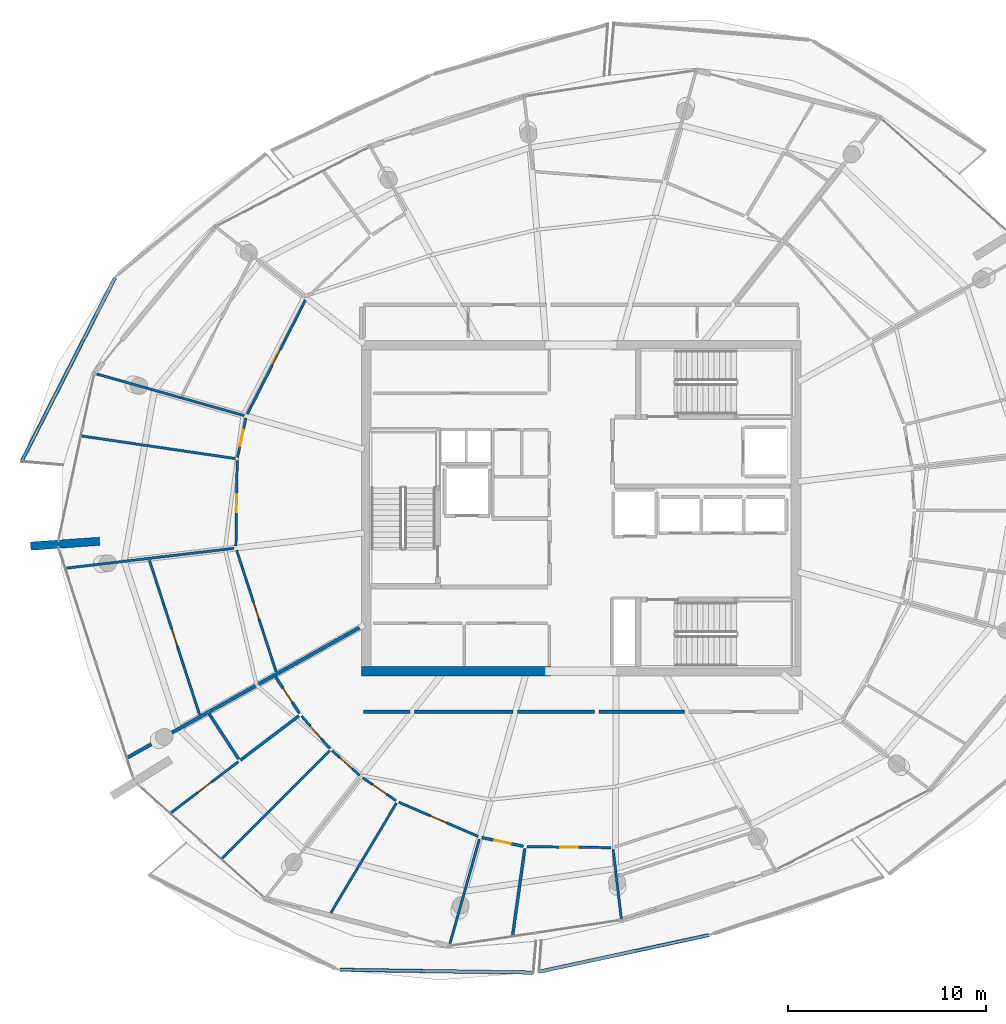
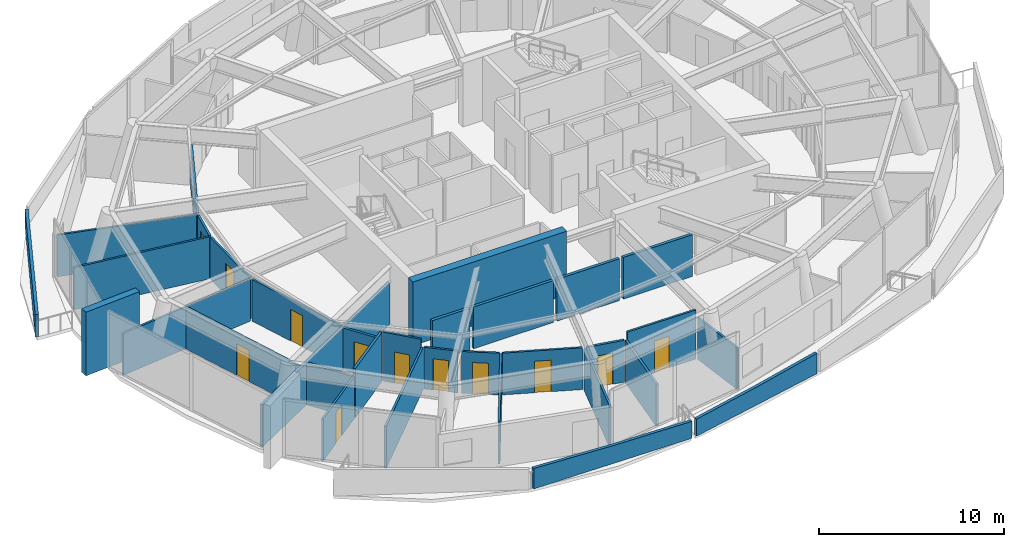
# One storey, part 9 of 19: 33 walls, 13 doors, 13 openings.
"""IFC4 building model written with IfcOpenShell, lengths in metres."""

from ifc_helpers import new_model, si_unit, direction, frame, frame_2d, origin, place, context, subcontext, project, spatial, polyline, rectangle, outline, extrude, material, layer, layer_set, type_object, element, fill, save


model = new_model("IFC4")

# Units and contexts
model_context = context("Model", 3, precision=1e-05, world=origin(), true_north=direction((0.0, 1.0)))
body_context = subcontext(model_context, "Body", "Model", "MODEL_VIEW")
ifc_project = project(units=[si_unit("LENGTHUNIT", "METRE"), si_unit("AREAUNIT", "SQUARE_METRE"), si_unit("VOLUMEUNIT", "CUBIC_METRE"), si_unit("PLANEANGLEUNIT", "RADIAN"), si_unit("MASSUNIT", "GRAM", prefix="KILO")], contexts=[model_context])

# Site, building, storey
site_placement = place(None, origin())
site = spatial("IfcSite", under=ifc_project, at=site_placement, CompositionType="ELEMENT")
building_placement = place(site_placement, origin())
building = spatial("IfcBuilding", under=site, at=building_placement, Name="Kazma Halo Residences", CompositionType="ELEMENT")
storey_placement = place(building_placement, frame((0.0, 0.0, 347.300048828125)))
storey = spatial("IfcBuildingStorey", under=building, at=storey_placement, Name="L87", CompositionType="ELEMENT", Elevation=347.300048828125)

# Walls
ifc_material_1 = material(Name="White Concrete C50/60 Balustrade", Category="concrete")
ifc_layer_1 = layer(ifc_material_1, 0.179931640625)
ifc_layer_set_1 = layer_set([ifc_layer_1], Name="White Concrete C50/60 Balustrade")
wall_type_1 = type_object("IfcWallType", Name="WL-BAL-WAVE-180", PredefinedType="PARAPET", material=ifc_layer_set_1)
wall_1_placement = place(storey_placement, frame((24.839599609375, 53.666015625, 0.0), z_axis=(0.0, 0.0, 1.0), x_axis=(-0.453352558269, -0.891331284041, 0.0)))
element("IfcWall", 1, at=wall_1_placement, inside=storey, type_object=wall_type_1, Name="L87 white wave balustrade wall NW.2", PredefinedType="PARAPET", context=body_context, shape_type="SweptSolid", body=[
    extrude(outline(polyline([(0.0, 0.0), (10.433349609375, 0.0), (10.433349609375, 1.48291015625), (5.216552734375, 1.283935546875), (0.0, 1.14794921875), (0.0, 0.0)])), frame((0.0, 0.08984375, 0.0), z_axis=(0.0, -1.0, 0.0), x_axis=(1.0, 0.0, 0.0)), (0.0, 0.0, 1.0), 0.179931640625),
])
wall_2_placement = place(storey_placement, frame((36.218994140625, 18.641357421875, 0.0), z_axis=(0.0, 0.0, 1.0), x_axis=(0.999893535391, -0.014591705995, 0.0)))
element("IfcWall", 2, at=wall_2_placement, inside=storey, type_object=wall_type_1, Name="L87 white wave balustrade wall SW.2", PredefinedType="PARAPET", context=body_context, shape_type="SweptSolid", body=[
    extrude(outline(polyline([(0.0, 0.0), (9.787841796875, 0.0), (9.787841796875, 1.119873046875), (4.893798828125, 1.181884765625), (0.0, 1.347900390625), (0.0, 0.0)])), frame((0.0, 0.08984375, 0.0), z_axis=(0.0, -1.0, 0.0), x_axis=(1.0, 0.0, 0.0)), (0.0, 0.0, 1.0), 0.179931640625),
])
wall_3_placement = place(storey_placement, frame((46.2978515625, 18.5419921875, 0.0), z_axis=(0.0, 0.0, 1.0), x_axis=(0.977492987262, 0.210967911903, 0.0)))
element("IfcWall", 3, at=wall_3_placement, inside=storey, type_object=wall_type_1, Name="L87 white wave balustrade wall SSE.1", PredefinedType="PARAPET", context=body_context, shape_type="SweptSolid", body=[
    extrude(outline(polyline([(0.0, 0.0), (8.7939453125, 0.0), (8.793701171875, 1.347900390625), (4.396728515625, 1.181884765625), (0.0, 1.119873046875), (0.0, 0.0)])), frame((0.0, 0.08984375, 0.0), z_axis=(0.0, -1.0, 0.0), x_axis=(1.0, 0.0, 0.0)), (0.0, 0.0, 1.0), 0.179931640625),
])
ifc_material_2 = material(Name="Pale Concrete C60/75", Category="concrete")
ifc_layer_2 = layer(ifc_material_2, 0.419921875)
ifc_layer_set_2 = layer_set([ifc_layer_2], Name="Pale Concrete C60/75")
wall_type_2 = type_object("IfcWallType", Name="WL-BLADE-420", PredefinedType="SOLIDWALL", material=ifc_layer_set_2)
wall_4_placement = place(storey_placement, frame((24.05908203125, 40.325927734375, 0.0), z_axis=(0.0, 0.0, 1.0), x_axis=(-0.997564163539, -0.069754853754, 0.0)))
element("IfcWall", 4, at=wall_4_placement, inside=storey, type_object=wall_type_2, Name="L87 pale concrete structural blade fin wall BW-02", PredefinedType="SOLIDWALL", context=body_context, shape_type="SweptSolid", body=[
    extrude(rectangle(XDim=3.5, YDim=0.419921875, at=frame_2d((1.75, 0.0))), origin(), (0.0, 0.0, 1.0), 4.199951171875),
])
ifc_material_3 = material(Name="Concrete C60/75", Category="concrete")
ifc_layer_3 = layer(ifc_material_3, 0.5)
ifc_layer_set_3 = layer_set([ifc_layer_3], Name="Concrete C60/75")
wall_type_3 = type_object("IfcWallType", Name="WL-CORE-500", PredefinedType="SHEAR", material=ifc_layer_set_3)
wall_5_placement = place(storey_placement, frame((37.300048828125, 33.75, 0.0), z_axis=(0.0, 0.0, 1.0), x_axis=(1.0, 0.0, 0.0)))
element("IfcWall", 5, at=wall_5_placement, inside=storey, type_object=wall_type_3, Name="L87 central core shear wall SW", PredefinedType="SHEAR", context=body_context, shape_type="SweptSolid", body=[
    extrude(rectangle(XDim=9.599853515625, YDim=0.5, at=frame_2d((4.7998046875, 0.0))), origin(), (0.0, 0.0, 1.0), 4.199951171875),
])
ifc_material_4 = material(Name="Acoustic Twin-Stud Gypsum")
ifc_layer_4 = layer(ifc_material_4, 0.179931640625)
ifc_layer_set_4 = layer_set([ifc_layer_4], Name="Acoustic Twin-Stud Gypsum")
wall_type_4 = type_object("IfcWallType", Name="WL-DEM-180", PredefinedType="PARTITIONING", material=ifc_layer_set_4)
wall_6_placement = place(storey_placement, frame((37.2041015625, 35.9541015625, 0.0), z_axis=(0.0, 0.0, 1.0), x_axis=(-0.872495191914, -0.488622697064, 0.0)))
element("IfcWall", 6, at=wall_6_placement, inside=storey, type_object=wall_type_4, Name="L87 apartment demising radial wall 08", PredefinedType="PARTITIONING", context=body_context, shape_type="SweptSolid", body=[
    extrude(rectangle(XDim=13.462158203125, YDim=0.179931640625, at=frame_2d((6.73095703125, 0.0))), origin(), (0.0, 0.0, 1.0), 2.7568359375),
])
wall_7_placement = place(storey_placement, frame((37.419921875, 31.699951171875, 0.0), z_axis=(0.0, 0.0, 1.0), x_axis=(1.0, 0.0, 0.0)))
element("IfcWall", 7, at=wall_7_placement, inside=storey, type_object=wall_type_4, Name="L87 Penthouse 2 inner wall 8", PredefinedType="PARTITIONING", context=body_context, shape_type="SweptSolid", body=[
    extrude(rectangle(XDim=2.340087890625, YDim=0.179931640625, at=frame_2d((1.169921875, 0.0))), origin(), (0.0, 0.0, 1.0), 2.7568359375),
])
wall_8_placement = place(storey_placement, frame((40.0, 31.699951171875, 0.0), z_axis=(0.0, 0.0, 1.0), x_axis=(1.0, 0.0, 0.0)))
element("IfcWall", 8, at=wall_8_placement, inside=storey, type_object=wall_type_4, Name="L87 Penthouse 2 inner wall 9", PredefinedType="PARTITIONING", context=body_context, shape_type="SweptSolid", body=[
    extrude(rectangle(XDim=4.97509765625, YDim=0.179931640625, at=frame_2d((2.487548828125, 0.0))), origin(), (0.0, 0.0, 1.0), 2.7568359375),
])
wall_9_placement = place(storey_placement, frame((45.215087890625, 31.699951171875, 0.0), z_axis=(0.0, 0.0, 1.0), x_axis=(1.0, 0.0, 0.0)))
element("IfcWall", 9, at=wall_9_placement, inside=storey, type_object=wall_type_4, Name="L87 Penthouse 2 inner wall 10", PredefinedType="PARTITIONING", context=body_context, shape_type="SweptSolid", body=[
    extrude(rectangle(XDim=3.884033203125, YDim=0.179931640625, at=frame_2d((1.94189453125, 0.0))), origin(), (0.0, 0.0, 1.0), 2.7568359375),
])
wall_10_placement = place(storey_placement, frame((49.339111328125, 31.699951171875, 0.0), z_axis=(0.0, 0.0, 1.0), x_axis=(1.0, 0.0, 0.0)))
element("IfcWall", 10, at=wall_10_placement, inside=storey, type_object=wall_type_4, Name="L87 Penthouse 2 inner wall 11", PredefinedType="PARTITIONING", context=body_context, shape_type="SweptSolid", body=[
    extrude(rectangle(XDim=4.30908203125, YDim=0.179931640625, at=frame_2d((2.154541015625, 0.0))), origin(), (0.0, 0.0, 1.0), 2.7568359375),
])

# Wall, opening, door
ifc_material_5 = material(Name="Gypsum Plasterboard Partition")
ifc_layer_5 = layer(ifc_material_5, 0.125)
ifc_layer_set_5 = layer_set([ifc_layer_5], Name="Gypsum Plasterboard Partition")
wall_type_5 = type_object("IfcWallType", Name="WL-PART-125", PredefinedType="PARTITIONING", material=ifc_layer_set_5)
wall_11_placement = place(storey_placement, frame((34.4716796875, 52.527587890625, 0.0), z_axis=(0.0, 0.0, 1.0), x_axis=(-0.453985634683, -0.891009003042, 0.0)))
wall_11 = element("IfcWall", 11, at=wall_11_placement, inside=storey, type_object=wall_type_5, Name="L87 Penthouse 1 South Study hall wall", PredefinedType="PARTITIONING", context=body_context, shape_type="SweptSolid", body=[
    extrude(rectangle(XDim=6.476806640625, YDim=0.125, at=frame_2d((3.23828125, 0.0))), origin(), (0.0, 0.0, 1.0), 2.7568359375),
])
opening_1_placement = place(wall_11_placement, frame((2.788330078125, 0.0, 0.0)))
opening_1 = element("IfcOpeningElement", 12, at=opening_1_placement, cuts=wall_11, Name="Opening DI-950", PredefinedType="OPENING", context=body_context, shape_type="SweptSolid", body=[
    extrude(rectangle(XDim=0.89990234375, YDim=2.080078125, at=frame_2d((0.449951171875, 1.0400390625))), frame((0.0, 0.072509765625, 0.0), z_axis=(0.0, -1.0, 0.0), x_axis=(1.0, 0.0, 0.0)), (0.0, 0.0, 1.0), 0.14501953125),
])
ifc_material_6 = material(Name="Timber Veneer Flush Leaf", Category="wood")
door_type_1 = type_object("IfcDoorType", Name="DR-INT-950", OperationType="NOTDEFINED", PredefinedType="DOOR", material=ifc_material_6)
door_1_placement = place(opening_1_placement, origin())
door_1 = element("IfcDoor", 13, at=door_1_placement, inside=storey, type_object=door_type_1, Name="L87 Penthouse 1 South Study door", OperationType="SINGLE_SWING_LEFT", OverallHeight=2.080078125, OverallWidth=0.89990234375, PredefinedType="DOOR", context=body_context, shape_type="SweptSolid", body=[
    extrude(rectangle(XDim=0.89990234375, YDim=2.080078125, at=frame_2d((0.449951171875, 1.0400390625))), frame((0.0, 0.02490234375, 0.0), z_axis=(0.0, -1.0, 0.0), x_axis=(1.0, 0.0, 0.0)), (0.0, 0.0, 1.0), 0.050048828125),
])
fill(opening_1, door_1)

# Walls
wall_12_placement = place(storey_placement, frame((31.38525390625, 46.685791015625, 0.0), z_axis=(0.0, 0.0, 1.0), x_axis=(-0.962455784847, 0.271438505401, 0.0)))
element("IfcWall", 14, at=wall_12_placement, inside=storey, type_object=wall_type_5, Name="L87 Penthouse 1 radial partition 6", PredefinedType="PARTITIONING", context=body_context, shape_type="SweptSolid", body=[
    extrude(rectangle(XDim=7.763916015625, YDim=0.125, at=frame_2d((3.8818359375, 0.0))), origin(), (0.0, 0.0, 1.0), 2.7568359375),
])
wall_13_placement = place(storey_placement, frame((30.930908203125, 44.511474609375, 0.0), z_axis=(0.0, 0.0, 1.0), x_axis=(-0.989350078836, 0.145555561584, 0.0)))
element("IfcWall", 15, at=wall_13_placement, inside=storey, type_object=wall_type_5, Name="L87 Penthouse 1 mid-bay wall 6", PredefinedType="PARTITIONING", context=body_context, shape_type="SweptSolid", body=[
    extrude(rectangle(XDim=7.876708984375, YDim=0.125, at=frame_2d((3.9384765625, 0.0))), origin(), (0.0, 0.0, 1.0), 2.77490234375),
])

# Wall, opening, door
wall_14_placement = place(storey_placement, frame((31.46044921875, 46.560791015625, 0.0), z_axis=(0.0, 0.0, 1.0), x_axis=(-0.208871695371, -0.977943052981, 0.0)))
wall_14 = element("IfcWall", 16, at=wall_14_placement, inside=storey, type_object=wall_type_5, Name="L87 Penthouse 1 Outer Wine Pantry Store hall wall", PredefinedType="PARTITIONING", context=body_context, shape_type="SweptSolid", body=[
    extrude(rectangle(XDim=2.029052734375, YDim=0.125, at=frame_2d((1.0146484375, 0.0))), origin(), (0.0, 0.0, 1.0), 2.7568359375),
])
opening_2_placement = place(wall_14_placement, frame((0.589599609375, 0.0, 0.0)))
opening_2 = element("IfcOpeningElement", 17, at=opening_2_placement, cuts=wall_14, Name="Opening DB-900", PredefinedType="OPENING", context=body_context, shape_type="SweptSolid", body=[
    extrude(rectangle(XDim=0.85009765625, YDim=2.06005859375, at=frame_2d((0.425048828125, 1.030029296875))), frame((0.0, 0.072509765625, 0.0), z_axis=(0.0, -1.0, 0.0), x_axis=(1.0, 0.0, 0.0)), (0.0, 0.0, 1.0), 0.14501953125),
])
ifc_material_7 = material(Name="Moisture-Sealed Timber Leaf", Category="wood")
door_type_2 = type_object("IfcDoorType", Name="DR-BTH-900", OperationType="NOTDEFINED", PredefinedType="DOOR", material=ifc_material_7)
door_2_placement = place(opening_2_placement, origin())
door_2 = element("IfcDoor", 18, at=door_2_placement, inside=storey, type_object=door_type_2, Name="L87 Penthouse 1 Outer Wine Pantry Store door", OperationType="SINGLE_SWING_RIGHT", OverallHeight=2.06005859375, OverallWidth=0.85009765625, PredefinedType="DOOR", context=body_context, shape_type="SweptSolid", body=[
    extrude(rectangle(XDim=0.85009765625, YDim=2.06005859375, at=frame_2d((0.425048828125, 1.030029296875))), frame((0.0, 0.02490234375, 0.0), z_axis=(0.0, -1.0, 0.0), x_axis=(1.0, 0.0, 0.0)), (0.0, 0.0, 1.0), 0.050048828125),
])
fill(opening_2, door_2)

wall_15_placement = place(storey_placement, frame((31.018798828125, 44.418212890625, 0.0), z_axis=(0.0, 0.0, 1.0), x_axis=(-0.014133062898, -0.999900123279, 0.0)))
wall_15 = element("IfcWall", 19, at=wall_15_placement, inside=storey, type_object=wall_type_5, Name="L87 Penthouse 1 Corner Formal Dining Room hall wall", PredefinedType="PARTITIONING", context=body_context, shape_type="SweptSolid", body=[
    extrude(rectangle(XDim=4.3359375, YDim=0.125, at=frame_2d((2.16796875, 0.0))), origin(), (0.0, 0.0, 1.0), 2.7568359375),
])
opening_3_placement = place(wall_15_placement, frame((1.718017578125, 0.0, 0.0)))
opening_3 = element("IfcOpeningElement", 20, at=opening_3_placement, cuts=wall_15, Name="Opening DI-950", PredefinedType="OPENING", context=body_context, shape_type="SweptSolid", body=[
    extrude(rectangle(XDim=0.89990234375, YDim=2.080078125, at=frame_2d((0.449951171875, 1.0400390625))), frame((0.0, 0.072509765625, 0.0), z_axis=(0.0, -1.0, 0.0), x_axis=(1.0, 0.0, 0.0)), (0.0, 0.0, 1.0), 0.14501953125),
])
door_3_placement = place(opening_3_placement, origin())
door_3 = element("IfcDoor", 21, at=door_3_placement, inside=storey, type_object=door_type_1, Name="L87 Penthouse 1 Corner Formal Dining Room door", OperationType="SINGLE_SWING_LEFT", OverallHeight=2.080078125, OverallWidth=0.89990234375, PredefinedType="DOOR", context=body_context, shape_type="SweptSolid", body=[
    extrude(rectangle(XDim=0.89990234375, YDim=2.080078125, at=frame_2d((0.449951171875, 1.0400390625))), frame((0.0, 0.02490234375, 0.0), z_axis=(0.0, -1.0, 0.0), x_axis=(1.0, 0.0, 0.0)), (0.0, 0.0, 1.0), 0.050048828125),
])
fill(opening_3, door_3)

# Wall
wall_16_placement = place(storey_placement, frame((30.856689453125, 39.970947265625, 0.0), z_axis=(0.0, 0.0, 1.0), x_axis=(-0.993069304007, -0.117530240533, 0.0)))
element("IfcWall", 22, at=wall_16_placement, inside=storey, type_object=wall_type_5, Name="L87 Penthouse 1 radial partition 7", PredefinedType="PARTITIONING", context=body_context, shape_type="SweptSolid", body=[
    extrude(rectangle(XDim=8.57275390625, YDim=0.125, at=frame_2d((4.286376953125, 0.0))), origin(), (0.0, 0.0, 1.0), 2.7568359375),
])

# Wall, opening, door
wall_17_placement = place(storey_placement, frame((30.989990234375, 39.878173828125, 0.0), z_axis=(0.0, 0.0, 1.0), x_axis=(0.309026406972, -0.951053457905, 0.0)))
wall_17 = element("IfcWall", 23, at=wall_17_placement, inside=storey, type_object=wall_type_5, Name="L87 Penthouse 1 Garden Study hall wall", PredefinedType="PARTITIONING", context=body_context, shape_type="SweptSolid", body=[
    extrude(rectangle(XDim=6.4765625, YDim=0.125, at=frame_2d((3.23828125, 0.0))), origin(), (0.0, 0.0, 1.0), 2.7568359375),
])
opening_4_placement = place(wall_17_placement, frame((2.788330078125, 0.0, 0.0)))
opening_4 = element("IfcOpeningElement", 24, at=opening_4_placement, cuts=wall_17, Name="Opening DI-950", PredefinedType="OPENING", context=body_context, shape_type="SweptSolid", body=[
    extrude(rectangle(XDim=0.89990234375, YDim=2.080078125, at=frame_2d((0.449951171875, 1.0400390625))), frame((0.0, 0.072509765625, 0.0), z_axis=(0.0, -1.0, 0.0), x_axis=(1.0, 0.0, 0.0)), (0.0, 0.0, 1.0), 0.14501953125),
])
door_4_placement = place(opening_4_placement, origin())
door_4 = element("IfcDoor", 25, at=door_4_placement, inside=storey, type_object=door_type_1, Name="L87 Penthouse 1 Garden Study door", OperationType="SINGLE_SWING_LEFT", OverallHeight=2.080078125, OverallWidth=0.89990234375, PredefinedType="DOOR", context=body_context, shape_type="SweptSolid", body=[
    extrude(rectangle(XDim=0.89990234375, YDim=2.080078125, at=frame_2d((0.449951171875, 1.0400390625))), frame((0.0, 0.02490234375, 0.0), z_axis=(0.0, -1.0, 0.0), x_axis=(1.0, 0.0, 0.0)), (0.0, 0.0, 1.0), 0.050048828125),
])
fill(opening_4, door_4)

wall_18_placement = place(storey_placement, frame((26.580810546875, 39.356201171875, 0.0), z_axis=(0.0, 0.0, 1.0), x_axis=(0.309000666789, -0.951061821294, 0.0)))
wall_18 = element("IfcWall", 26, at=wall_18_placement, inside=storey, type_object=wall_type_5, Name="L87 Penthouse 1 Sky Master Bedroom divider wall", PredefinedType="PARTITIONING", context=body_context, shape_type="SweptSolid", body=[
    extrude(rectangle(XDim=8.209228515625, YDim=0.125, at=frame_2d((4.1044921875, 0.0))), origin(), (0.0, 0.0, 1.0), 2.7568359375),
])
opening_5_placement = place(wall_18_placement, frame((3.654541015625, 0.0, 0.0)))
opening_5 = element("IfcOpeningElement", 27, at=opening_5_placement, cuts=wall_18, Name="Opening DI-950", PredefinedType="OPENING", context=body_context, shape_type="SweptSolid", body=[
    extrude(rectangle(XDim=0.89990234375, YDim=2.080078125, at=frame_2d((0.449951171875, 1.0400390625))), frame((0.0, 0.072509765625, 0.0), z_axis=(0.0, -1.0, 0.0), x_axis=(1.0, 0.0, 0.0)), (0.0, 0.0, 1.0), 0.14501953125),
])
door_5_placement = place(opening_5_placement, origin())
door_5 = element("IfcDoor", 28, at=door_5_placement, inside=storey, type_object=door_type_1, Name="L87 Penthouse 1 Sky Master Bedroom door", OperationType="SINGLE_SWING_RIGHT", OverallHeight=2.080078125, OverallWidth=0.89990234375, PredefinedType="DOOR", context=body_context, shape_type="SweptSolid", body=[
    extrude(rectangle(XDim=0.89990234375, YDim=2.080078125, at=frame_2d((0.449951171875, 1.0400390625))), frame((0.0, 0.02490234375, 0.0), z_axis=(0.0, -1.0, 0.0), x_axis=(1.0, 0.0, 0.0)), (0.0, 0.0, 1.0), 0.050048828125),
])
fill(opening_5, door_5)

wall_19_placement = place(storey_placement, frame((31.078125, 29.169677734375, 0.0), z_axis=(0.0, 0.0, 1.0), x_axis=(-0.796851341582, -0.604175421064, 0.0)))
wall_19 = element("IfcWall", 29, at=wall_19_placement, inside=storey, type_object=wall_type_5, Name="L87 Penthouse 2 Household Store Room partition wall", PredefinedType="PARTITIONING", context=body_context, shape_type="SweptSolid", body=[
    extrude(rectangle(XDim=4.304443359375, YDim=0.125, at=frame_2d((2.15234375, 0.0))), origin(), (0.0, 0.0, 1.0), 2.77490234375),
])
opening_6_placement = place(wall_19_placement, frame((1.727294921875, 0.0, 0.0)))
opening_6 = element("IfcOpeningElement", 30, at=opening_6_placement, cuts=wall_19, Name="Opening DB-900", PredefinedType="OPENING", context=body_context, shape_type="SweptSolid", body=[
    extrude(rectangle(XDim=0.85009765625, YDim=2.06005859375, at=frame_2d((0.425048828125, 1.030029296875))), frame((0.0, 0.072509765625, 0.0), z_axis=(0.0, -1.0, 0.0), x_axis=(1.0, 0.0, 0.0)), (0.0, 0.0, 1.0), 0.14501953125),
])
door_6_placement = place(opening_6_placement, origin())
door_6 = element("IfcDoor", 31, at=door_6_placement, inside=storey, type_object=door_type_2, Name="L87 Penthouse 2 Household Store Room door", OperationType="SINGLE_SWING_LEFT", OverallHeight=2.06005859375, OverallWidth=0.85009765625, PredefinedType="DOOR", context=body_context, shape_type="SweptSolid", body=[
    extrude(rectangle(XDim=0.85009765625, YDim=2.06005859375, at=frame_2d((0.425048828125, 1.030029296875))), frame((0.0, 0.02490234375, 0.0), z_axis=(0.0, -1.0, 0.0), x_axis=(1.0, 0.0, 0.0)), (0.0, 0.0, 1.0), 0.050048828125),
])
fill(opening_6, door_6)

# Wall
wall_20_placement = place(storey_placement, frame((35.69970703125, 29.712646484375, 0.0), z_axis=(0.0, 0.0, 1.0), x_axis=(-0.707470011435, -0.706743364256, 0.0)))
element("IfcWall", 32, at=wall_20_placement, inside=storey, type_object=wall_type_5, Name="L87 Penthouse 2 suite divider 8", PredefinedType="PARTITIONING", context=body_context, shape_type="SweptSolid", body=[
    extrude(rectangle(XDim=7.7275390625, YDim=0.125, at=frame_2d((3.86376953125, 0.0))), origin(), (0.0, 0.0, 1.0), 2.77490234375),
])

# Wall, opening, door
wall_21_placement = place(storey_placement, frame((34.27685546875, 31.482177734375, 0.0), z_axis=(0.0, 0.0, 1.0), x_axis=(0.656959210167, -0.753926121167, 0.0)))
wall_21 = element("IfcWall", 33, at=wall_21_placement, inside=storey, type_object=wall_type_5, Name="L87 Penthouse 2 Gourmet Kitchen hall wall", PredefinedType="PARTITIONING", context=body_context, shape_type="SweptSolid", body=[
    extrude(rectangle(XDim=2.182861328125, YDim=0.125, at=frame_2d((1.09130859375, 0.0))), origin(), (0.0, 0.0, 1.0), 3.239990234375),
])
opening_7_placement = place(wall_21_placement, frame((0.66650390625, 0.0, 0.0)))
opening_7 = element("IfcOpeningElement", 34, at=opening_7_placement, cuts=wall_21, Name="Opening DB-900", PredefinedType="OPENING", context=body_context, shape_type="SweptSolid", body=[
    extrude(rectangle(XDim=0.85009765625, YDim=2.06005859375, at=frame_2d((0.425048828125, 1.030029296875))), frame((0.0, 0.072509765625, 0.0), z_axis=(0.0, -1.0, 0.0), x_axis=(1.0, 0.0, 0.0)), (0.0, 0.0, 1.0), 0.14501953125),
])
door_7_placement = place(opening_7_placement, origin())
door_7 = element("IfcDoor", 35, at=door_7_placement, inside=storey, type_object=door_type_2, Name="L87 Penthouse 2 Gourmet Kitchen door", OperationType="SINGLE_SWING_RIGHT", OverallHeight=2.06005859375, OverallWidth=0.85009765625, PredefinedType="DOOR", context=body_context, shape_type="SweptSolid", body=[
    extrude(rectangle(XDim=0.85009765625, YDim=2.06005859375, at=frame_2d((0.425048828125, 1.030029296875))), frame((0.0, 0.02490234375, 0.0), z_axis=(0.0, -1.0, 0.0), x_axis=(1.0, 0.0, 0.0)), (0.0, 0.0, 1.0), 0.050048828125),
])
fill(opening_7, door_7)

wall_22_placement = place(storey_placement, frame((35.8232421875, 29.722900390625, 0.0), z_axis=(0.0, 0.0, 1.0), x_axis=(0.747438201164, -0.664331344617, 0.0)))
wall_22 = element("IfcWall", 36, at=wall_22_placement, inside=storey, type_object=wall_type_5, Name="L87 Penthouse 2 Primary Bedroom hall wall", PredefinedType="PARTITIONING", context=body_context, shape_type="SweptSolid", body=[
    extrude(rectangle(XDim=1.865478515625, YDim=0.125, at=frame_2d((0.9326171875, 0.0))), origin(), (0.0, 0.0, 1.0), 2.7568359375),
])
opening_8_placement = place(wall_22_placement, frame((0.5078125, 0.0, 0.0)))
opening_8 = element("IfcOpeningElement", 37, at=opening_8_placement, cuts=wall_22, Name="Opening DB-900", PredefinedType="OPENING", context=body_context, shape_type="SweptSolid", body=[
    extrude(rectangle(XDim=0.85009765625, YDim=2.06005859375, at=frame_2d((0.425048828125, 1.030029296875))), frame((0.0, 0.072509765625, 0.0), z_axis=(0.0, -1.0, 0.0), x_axis=(1.0, 0.0, 0.0)), (0.0, 0.0, 1.0), 0.14501953125),
])
door_8_placement = place(opening_8_placement, origin())
door_8 = element("IfcDoor", 38, at=door_8_placement, inside=storey, type_object=door_type_2, Name="L87 Penthouse 2 Primary Bedroom door", OperationType="SINGLE_SWING_LEFT", OverallHeight=2.06005859375, OverallWidth=0.85009765625, PredefinedType="DOOR", context=body_context, shape_type="SweptSolid", body=[
    extrude(rectangle(XDim=0.85009765625, YDim=2.06005859375, at=frame_2d((0.425048828125, 1.030029296875))), frame((0.0, 0.02490234375, 0.0), z_axis=(0.0, -1.0, 0.0), x_axis=(1.0, 0.0, 0.0)), (0.0, 0.0, 1.0), 0.050048828125),
])
fill(opening_8, door_8)

# Wall
wall_23_placement = place(storey_placement, frame((39.079345703125, 27.076904296875, 0.0), z_axis=(0.0, 0.0, 1.0), x_axis=(-0.513104404823, -0.858326202414, 0.0)))
element("IfcWall", 39, at=wall_23_placement, inside=storey, type_object=wall_type_5, Name="L87 Penthouse 2 mid-bay wall 9", PredefinedType="PARTITIONING", context=body_context, shape_type="SweptSolid", body=[
    extrude(rectangle(XDim=6.47998046875, YDim=0.125, at=frame_2d((3.239990234375, 0.0))), origin(), (0.0, 0.0, 1.0), 2.77490234375),
])

# Wall, opening, door
wall_24_placement = place(storey_placement, frame((37.37451171875, 28.360595703125, 0.0), z_axis=(0.0, 0.0, 1.0), x_axis=(0.823529894266, -0.567272873712, 0.0)))
wall_24 = element("IfcWall", 40, at=wall_24_placement, inside=storey, type_object=wall_type_5, Name="L87 Penthouse 2 East Wine Pantry Store hall wall", PredefinedType="PARTITIONING", context=body_context, shape_type="SweptSolid", body=[
    extrude(rectangle(XDim=2.04638671875, YDim=0.125, at=frame_2d((1.023193359375, 0.0))), origin(), (0.0, 0.0, 1.0), 2.7568359375),
])
opening_9_placement = place(wall_24_placement, frame((0.59814453125, 0.0, 0.0)))
opening_9 = element("IfcOpeningElement", 41, at=opening_9_placement, cuts=wall_24, Name="Opening DB-900", PredefinedType="OPENING", context=body_context, shape_type="SweptSolid", body=[
    extrude(rectangle(XDim=0.85009765625, YDim=2.06005859375, at=frame_2d((0.425048828125, 1.030029296875))), frame((0.0, 0.072509765625, 0.0), z_axis=(0.0, -1.0, 0.0), x_axis=(1.0, 0.0, 0.0)), (0.0, 0.0, 1.0), 0.14501953125),
])
door_9_placement = place(opening_9_placement, origin())
door_9 = element("IfcDoor", 42, at=door_9_placement, inside=storey, type_object=door_type_2, Name="L87 Penthouse 2 East Wine Pantry Store door", OperationType="SINGLE_SWING_LEFT", OverallHeight=2.06005859375, OverallWidth=0.85009765625, PredefinedType="DOOR", context=body_context, shape_type="SweptSolid", body=[
    extrude(rectangle(XDim=0.85009765625, YDim=2.06005859375, at=frame_2d((0.425048828125, 1.030029296875))), frame((0.0, 0.02490234375, 0.0), z_axis=(0.0, -1.0, 0.0), x_axis=(1.0, 0.0, 0.0)), (0.0, 0.0, 1.0), 0.050048828125),
])
fill(opening_9, door_9)

wall_25_placement = place(storey_placement, frame((39.19921875, 27.12255859375, 0.0), z_axis=(0.0, 0.0, 1.0), x_axis=(0.918386386282, -0.395684780466, 0.0)))
wall_25 = element("IfcWall", 43, at=wall_25_placement, inside=storey, type_object=wall_type_5, Name="L87 Penthouse 2 West Formal Dining Room hall wall", PredefinedType="PARTITIONING", context=body_context, shape_type="SweptSolid", body=[
    extrude(rectangle(XDim=4.370849609375, YDim=0.125, at=frame_2d((2.185546875, 0.0))), origin(), (0.0, 0.0, 1.0), 2.7568359375),
])
opening_10_placement = place(wall_25_placement, frame((1.735595703125, 0.0, 0.0)))
opening_10 = element("IfcOpeningElement", 44, at=opening_10_placement, cuts=wall_25, Name="Opening DI-950", PredefinedType="OPENING", context=body_context, shape_type="SweptSolid", body=[
    extrude(rectangle(XDim=0.89990234375, YDim=2.080078125, at=frame_2d((0.449951171875, 1.0400390625))), frame((0.0, 0.072509765625, 0.0), z_axis=(0.0, -1.0, 0.0), x_axis=(1.0, 0.0, 0.0)), (0.0, 0.0, 1.0), 0.14501953125),
])
door_10_placement = place(opening_10_placement, origin())
door_10 = element("IfcDoor", 45, at=door_10_placement, inside=storey, type_object=door_type_1, Name="L87 Penthouse 2 West Formal Dining Room door", OperationType="SINGLE_SWING_RIGHT", OverallHeight=2.080078125, OverallWidth=0.89990234375, PredefinedType="DOOR", context=body_context, shape_type="SweptSolid", body=[
    extrude(rectangle(XDim=0.89990234375, YDim=2.080078125, at=frame_2d((0.449951171875, 1.0400390625))), frame((0.0, 0.02490234375, 0.0), z_axis=(0.0, -1.0, 0.0), x_axis=(1.0, 0.0, 0.0)), (0.0, 0.0, 1.0), 0.050048828125),
])
fill(opening_10, door_10)

# Wall
wall_26_placement = place(storey_placement, frame((43.278076171875, 25.257080078125, 0.0), z_axis=(0.0, 0.0, 1.0), x_axis=(-0.271458055223, -0.962450271055, 0.0)))
element("IfcWall", 46, at=wall_26_placement, inside=storey, type_object=wall_type_5, Name="L87 Penthouse 2 radial partition 10", PredefinedType="PARTITIONING", context=body_context, shape_type="SweptSolid", body=[
    extrude(rectangle(XDim=5.496826171875, YDim=0.125, at=frame_2d((2.74853515625, 0.0))), origin(), (0.0, 0.0, 1.0), 2.7568359375),
])

# Wall, opening, door
wall_27_placement = place(storey_placement, frame((45.679931640625, 24.87158203125, 0.0), z_axis=(0.0, 0.0, 1.0), x_axis=(0.99993989629, -0.010963749724, 0.0)))
wall_27 = element("IfcWall", 47, at=wall_27_placement, inside=storey, type_object=wall_type_5, Name="L87 Penthouse 2 South Master Bedroom hall wall", PredefinedType="PARTITIONING", context=body_context, shape_type="SweptSolid", body=[
    extrude(rectangle(XDim=4.253173828125, YDim=0.125, at=frame_2d((2.12646484375, 0.0))), origin(), (0.0, 0.0, 1.0), 3.239990234375),
])
opening_11_placement = place(wall_27_placement, frame((1.676513671875, 0.0, 0.0)))
opening_11 = element("IfcOpeningElement", 48, at=opening_11_placement, cuts=wall_27, Name="Opening DI-950", PredefinedType="OPENING", context=body_context, shape_type="SweptSolid", body=[
    extrude(rectangle(XDim=0.89990234375, YDim=2.080078125, at=frame_2d((0.449951171875, 1.0400390625))), frame((0.0, 0.072509765625, 0.0), z_axis=(0.0, -1.0, 0.0), x_axis=(1.0, 0.0, 0.0)), (0.0, 0.0, 1.0), 0.14501953125),
])
door_11_placement = place(opening_11_placement, origin())
door_11 = element("IfcDoor", 49, at=door_11_placement, inside=storey, type_object=door_type_1, Name="L87 Penthouse 2 South Master Bedroom door", OperationType="SINGLE_SWING_RIGHT", OverallHeight=2.080078125, OverallWidth=0.89990234375, PredefinedType="DOOR", context=body_context, shape_type="SweptSolid", body=[
    extrude(rectangle(XDim=0.89990234375, YDim=2.080078125, at=frame_2d((0.449951171875, 1.0400390625))), frame((0.0, 0.02490234375, 0.0), z_axis=(0.0, -1.0, 0.0), x_axis=(1.0, 0.0, 0.0)), (0.0, 0.0, 1.0), 0.050048828125),
])
fill(opening_11, door_11)

# Wall
wall_28_placement = place(storey_placement, frame((50.044677734375, 24.724609375, 0.0), z_axis=(0.0, 0.0, 1.0), x_axis=(0.117544267504, -0.993067643807, 0.0)))
element("IfcWall", 50, at=wall_28_placement, inside=storey, type_object=wall_type_5, Name="L87 Penthouse 2 radial partition 11", PredefinedType="PARTITIONING", context=body_context, shape_type="SweptSolid", body=[
    extrude(rectangle(XDim=3.566162109375, YDim=0.125, at=frame_2d((1.783203125, 0.0))), origin(), (0.0, 0.0, 1.0), 2.7568359375),
])

# Wall, opening, door
ifc_material_8 = material(Name="Moisture-Resistant Gypsum")
ifc_layer_6 = layer(ifc_material_8, 0.14990234375)
ifc_layer_set_6 = layer_set([ifc_layer_6], Name="Moisture-Resistant Gypsum")
wall_type_6 = type_object("IfcWallType", Name="WL-WET-150", PredefinedType="PARTITIONING", material=ifc_layer_set_6)
wall_29_placement = place(storey_placement, frame((32.964111328125, 33.465087890625, 0.0), z_axis=(0.0, 0.0, 1.0), x_axis=(0.547736904717, -0.836650633903, 0.0)))
wall_29 = element("IfcWall", 51, at=wall_29_placement, inside=storey, type_object=wall_type_6, Name="L87 Penthouse 2 Guest Bathroom hall wall", PredefinedType="PARTITIONING", context=body_context, shape_type="SweptSolid", body=[
    extrude(rectangle(XDim=2.19873046875, YDim=0.14990234375, at=frame_2d((1.099365234375, 0.0))), origin(), (0.0, 0.0, 1.0), 2.7568359375),
])
opening_12_placement = place(wall_29_placement, frame((0.67431640625, 0.0, 0.0)))
opening_12 = element("IfcOpeningElement", 52, at=opening_12_placement, cuts=wall_29, Name="Opening DB-900", PredefinedType="OPENING", context=body_context, shape_type="SweptSolid", body=[
    extrude(rectangle(XDim=0.85009765625, YDim=2.06005859375, at=frame_2d((0.425048828125, 1.030029296875))), frame((0.0, 0.0849609375, 0.0), z_axis=(0.0, -1.0, 0.0), x_axis=(1.0, 0.0, 0.0)), (0.0, 0.0, 1.0), 0.169921875),
])
door_12_placement = place(opening_12_placement, origin())
door_12 = element("IfcDoor", 53, at=door_12_placement, inside=storey, type_object=door_type_2, Name="L87 Penthouse 2 Guest Bathroom door", OperationType="SINGLE_SWING_RIGHT", OverallHeight=2.06005859375, OverallWidth=0.85009765625, PredefinedType="DOOR", context=body_context, shape_type="SweptSolid", body=[
    extrude(rectangle(XDim=0.85009765625, YDim=2.06005859375, at=frame_2d((0.425048828125, 1.030029296875))), frame((0.0, 0.02490234375, 0.0), z_axis=(0.0, -1.0, 0.0), x_axis=(1.0, 0.0, 0.0)), (0.0, 0.0, 1.0), 0.050048828125),
])
fill(opening_12, door_12)

# Walls
wall_30_placement = place(storey_placement, frame((29.60498046875, 31.583984375, 0.0), z_axis=(0.0, 0.0, 1.0), x_axis=(0.547706970619, -0.836670230339, 0.0)))
element("IfcWall", 54, at=wall_30_placement, inside=storey, type_object=wall_type_6, Name="L87 Penthouse 2 Guest Bathroom back wall", PredefinedType="PARTITIONING", context=body_context, shape_type="SweptSolid", body=[
    extrude(rectangle(XDim=2.730712890625, YDim=0.14990234375, at=frame_2d((1.365234375, 0.0))), origin(), (0.0, 0.0, 1.0), 2.7568359375),
])
wall_31_placement = place(storey_placement, frame((34.14599609375, 31.49560546875, 0.0), z_axis=(0.0, 0.0, 1.0), x_axis=(-0.796862333182, -0.60416092389, 0.0)))
element("IfcWall", 55, at=wall_31_placement, inside=storey, type_object=wall_type_6, Name="L87 Penthouse 2 Guest Bathroom side wall", PredefinedType="PARTITIONING", context=body_context, shape_type="SweptSolid", body=[
    extrude(rectangle(XDim=3.7197265625, YDim=0.14990234375, at=frame_2d((1.85986328125, 0.0))), origin(), (0.0, 0.0, 1.0), 3.239990234375),
])

# Wall, opening, door
wall_32_placement = place(storey_placement, frame((43.403076171875, 25.332763671875, 0.0), z_axis=(0.0, 0.0, 1.0), x_axis=(0.978565484163, -0.205935895864, 0.0)))
wall_32 = element("IfcWall", 56, at=wall_32_placement, inside=storey, type_object=wall_type_6, Name="L87 Penthouse 2 North En-Suite Bathroom hall wall", PredefinedType="PARTITIONING", context=body_context, shape_type="SweptSolid", body=[
    extrude(rectangle(XDim=2.14453125, YDim=0.14990234375, at=frame_2d((1.072265625, 0.0))), origin(), (0.0, 0.0, 1.0), 2.7568359375),
])
opening_13_placement = place(wall_32_placement, frame((0.647216796875, 0.0, 0.0)))
opening_13 = element("IfcOpeningElement", 57, at=opening_13_placement, cuts=wall_32, Name="Opening DB-900", PredefinedType="OPENING", context=body_context, shape_type="SweptSolid", body=[
    extrude(rectangle(XDim=0.85009765625, YDim=2.06005859375, at=frame_2d((0.425048828125, 1.030029296875))), frame((0.0, 0.0849609375, 0.0), z_axis=(0.0, -1.0, 0.0), x_axis=(1.0, 0.0, 0.0)), (0.0, 0.0, 1.0), 0.169921875),
])
door_13_placement = place(opening_13_placement, origin())
door_13 = element("IfcDoor", 58, at=door_13_placement, inside=storey, type_object=door_type_2, Name="L87 Penthouse 2 North En-Suite Bathroom door", OperationType="SINGLE_SWING_RIGHT", OverallHeight=2.06005859375, OverallWidth=0.85009765625, PredefinedType="DOOR", context=body_context, shape_type="SweptSolid", body=[
    extrude(rectangle(XDim=0.85009765625, YDim=2.06005859375, at=frame_2d((0.425048828125, 1.030029296875))), frame((0.0, 0.02490234375, 0.0), z_axis=(0.0, -1.0, 0.0), x_axis=(1.0, 0.0, 0.0)), (0.0, 0.0, 1.0), 0.050048828125),
])
fill(opening_13, door_13)

# Wall
wall_33_placement = place(storey_placement, frame((45.577392578125, 24.78369140625, 0.0), z_axis=(0.0, 0.0, 1.0), x_axis=(-0.139343441712, -0.99024411397, 0.0)))
element("IfcWall", 59, at=wall_33_placement, inside=storey, type_object=wall_type_6, Name="L87 Penthouse 2 North En-Suite Bathroom side wall", PredefinedType="PARTITIONING", context=body_context, shape_type="SweptSolid", body=[
    extrude(rectangle(XDim=4.474853515625, YDim=0.14990234375, at=frame_2d((2.2373046875, 0.0))), origin(), (0.0, 0.0, 1.0), 2.77490234375),
])

save(model, "model.ifc")
